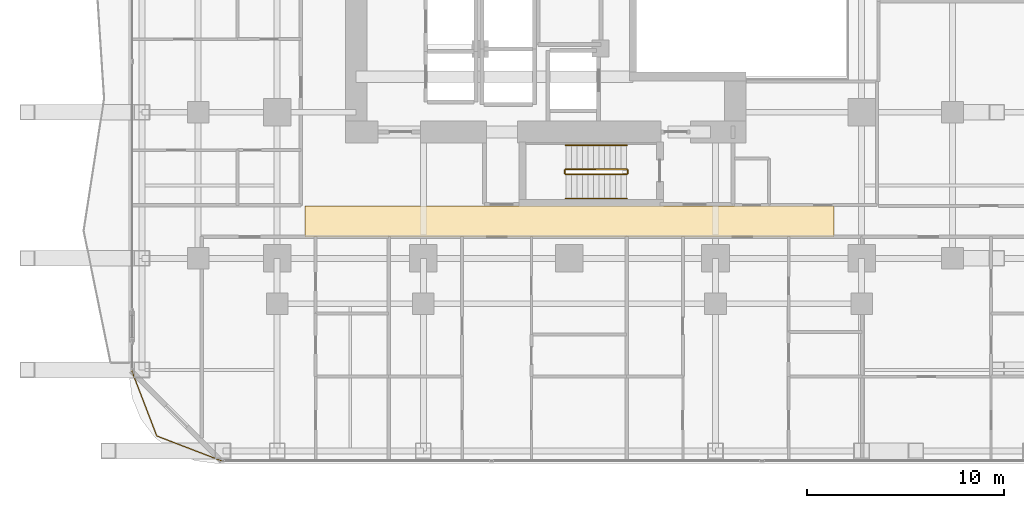
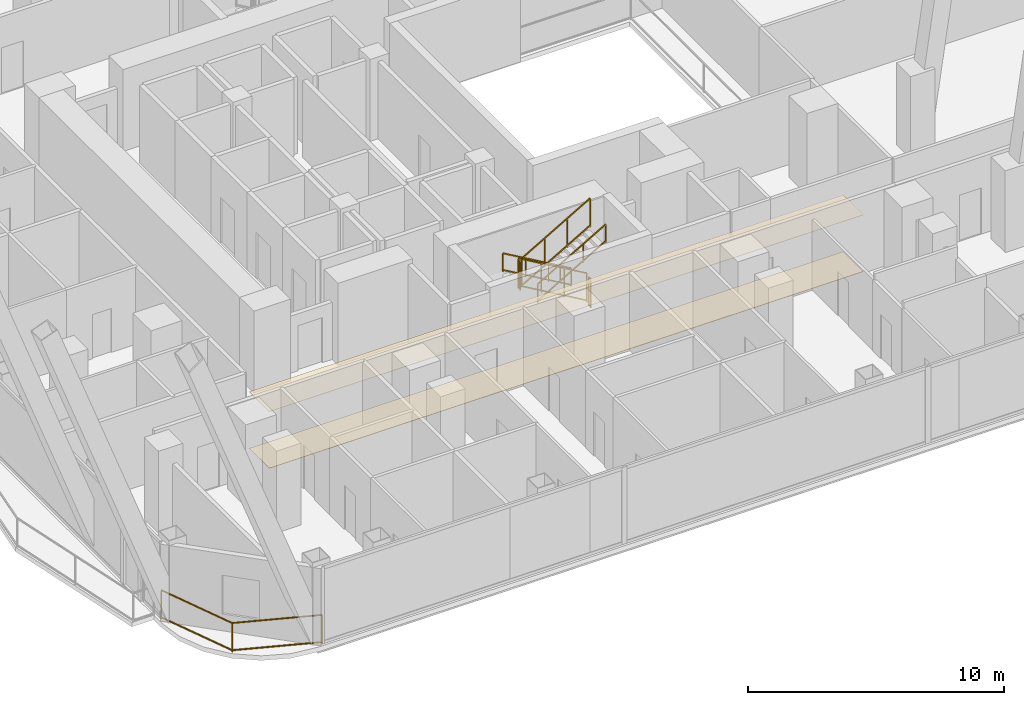
# One storey, part 31 of 33: 7 railings, 2 coverings.
"""IFC4 building model written with IfcOpenShell, lengths in metres."""

from ifc_helpers import new_model, si_unit, direction, frame, origin, origin_2d, place, context, subcontext, project, spatial, polyline, rectangle, outline, extrude, material, layer, layer_set, type_object, element, save


model = new_model("IFC4")

# Units and contexts
model_context = context("Model", 3, precision=1e-05, world=origin(), true_north=direction((0.0, 1.0)))
body_context = subcontext(model_context, "Body", "Model", "MODEL_VIEW")
ifc_project = project(units=[si_unit("LENGTHUNIT", "METRE"), si_unit("AREAUNIT", "SQUARE_METRE"), si_unit("VOLUMEUNIT", "CUBIC_METRE"), si_unit("PLANEANGLEUNIT", "RADIAN"), si_unit("MASSUNIT", "GRAM", prefix="KILO")], contexts=[model_context])

# Site, building, storey
site_placement = place(None, origin())
site = spatial("IfcSite", under=ifc_project, at=site_placement, CompositionType="ELEMENT")
building_placement = place(site_placement, origin())
building = spatial("IfcBuilding", under=site, at=building_placement, Name="Khorvyn Point Tower", CompositionType="ELEMENT")
storey_placement = place(building_placement, frame((0.0, 0.0, 38.39990234375)))
storey = spatial("IfcBuildingStorey", under=building, at=storey_placement, Name="L10", CompositionType="ELEMENT", Elevation=38.39990234375)

# Railing
ifc_material_1 = material(Name="Anodised aluminium 6063-T6 and laminated safety glass", Category="aluminium")
railing_type_1 = type_object("IfcRailingType", Name="Laminated Glass and Aluminium Balcony Guardrail 1400", PredefinedType="BALUSTRADE", material=ifc_material_1)
railing_1_placement = place(storey_placement, frame((-22.174072265625, -20.470703125, 0.0)))
element("IfcRailing", 1, at=railing_1_placement, inside=storey, type_object=railing_type_1, Name="L10 Rounded Corner Edge Guardrail SW", PredefinedType="BALUSTRADE", context=body_context, shape_type="SweptSolid", body=[
    extrude(rectangle(XDim=0.048095703125, YDim=0.048095703125, at=origin_2d()), frame((0.0, 0.0, 1.3759765625), z_axis=(0.358359142172, -0.933583807283, 0.0), x_axis=(0.933583807283, 0.358359142172, 0.0)), (0.0, 0.0, 1.0), 3.56298828125),
    extrude(rectangle(XDim=0.048095703125, YDim=0.048095703125, at=origin_2d()), frame((0.0, 0.0, 0.080078125), z_axis=(0.358359142172, -0.933583807283, 0.0), x_axis=(0.933583807283, 0.358359142172, 0.0)), (0.0, 0.0, 1.0), 3.56298828125),
    extrude(rectangle(XDim=0.048095703125, YDim=0.048095703125, at=origin_2d()), frame((1.27685546875, -3.326416015625, 1.3759765625), z_axis=(0.933583807283, -0.358359142172, 0.0), x_axis=(0.358359142172, 0.933583807283, 0.0)), (0.0, 0.0, 1.0), 3.56298828125),
    extrude(rectangle(XDim=0.048095703125, YDim=0.048095703125, at=origin_2d()), frame((1.27685546875, -3.326416015625, 0.080078125), z_axis=(0.933583807283, -0.358359142172, 0.0), x_axis=(0.358359142172, 0.933583807283, 0.0)), (0.0, 0.0, 1.0), 3.56298828125),
    extrude(rectangle(XDim=0.0419921875, YDim=0.0419921875, at=origin_2d()), origin(), (0.0, 0.0, 1.0), 1.351806640625),
    extrude(rectangle(XDim=0.0419921875, YDim=0.0419921875, at=origin_2d()), frame((1.27685546875, -3.326416015625, 0.0)), (0.0, 0.0, 1.0), 1.351806640625),
    extrude(rectangle(XDim=0.0419921875, YDim=0.0419921875, at=origin_2d()), frame((4.603271484375, -4.603271484375, 0.0)), (0.0, 0.0, 1.0), 1.351806640625),
])

# Coverings
ifc_material_2 = material(Name="Mineral-fibre acoustic ceiling board", Category="gypsum")
ifc_layer_1 = layer(ifc_material_2, 0.02001953125)
ifc_layer_set_1 = layer_set([ifc_layer_1], Name="Perforated Mineral-Fibre Acoustic Suspended Ceiling 20")
covering_type_1 = type_object("IfcCoveringType", Name="Perforated Mineral-Fibre Acoustic Suspended Ceiling 20", PredefinedType="CEILING", material=ifc_layer_set_1)
covering_1_placement = place(storey_placement, frame((0.0, 0.0, 2.7001953125)))
element("IfcCovering", 2, at=covering_1_placement, inside=storey, type_object=covering_type_1, Name="L10 South Corridor Acoustic Ceiling", PredefinedType="CEILING", context=body_context, shape_type="SweptSolid", body=[
    extrude(outline(polyline([(-13.39990234375, -13.7099609375), (13.39990234375, -13.7099609375), (13.39990234375, -12.139892578125), (-13.39990234375, -12.139892578125), (-13.39990234375, -13.7099609375)])), origin(), (0.0, 0.0, 1.0), 0.02001953125),
])
ifc_material_3 = material(Name="Vitrified porcelain terrazzo tile", Category="ceramic")
ifc_layer_2 = layer(ifc_material_3, 0.01806640625)
ifc_layer_set_2 = layer_set([ifc_layer_2], Name="Porcelain Terrazzo Corridor Floor Finish Tile 18")
covering_type_2 = type_object("IfcCoveringType", Name="Porcelain Terrazzo Corridor Floor Finish Tile 18", PredefinedType="FLOORING", material=ifc_layer_set_2)
covering_2_placement = place(storey_placement, origin())
element("IfcCovering", 3, at=covering_2_placement, inside=storey, type_object=covering_type_2, Name="L10 South Corridor Terrazzo Flooring", PredefinedType="FLOORING", context=body_context, shape_type="SweptSolid", body=[
    extrude(outline(polyline([(-13.39990234375, -13.7099609375), (13.39990234375, -13.7099609375), (13.39990234375, -12.139892578125), (-13.39990234375, -12.139892578125), (-13.39990234375, -13.7099609375)])), origin(), (0.0, 0.0, 1.0), 0.01806640625),
])

# Railings
ifc_material_4 = material(Name="Stainless steel 1.4301", Category="steel")
railing_type_2 = type_object("IfcRailingType", Name="Stainless Steel 304 Stair Pitch Handrail 900", PredefinedType="HANDRAIL", material=ifc_material_4)
railing_2_placement = place(storey_placement, frame((2.89990234375, -9.070068359375, 0.16259765625)))
element("IfcRailing", 4, at=railing_2_placement, inside=storey, type_object=railing_type_2, Name="L10 ST-01 stair handrail 1", PredefinedType="HANDRAIL", context=body_context, shape_type="SweptSolid", body=[
    extrude(rectangle(XDim=0.048095703125, YDim=0.048095703125, at=origin_2d()), frame((0.0, 0.0, 0.8759765625), z_axis=(-0.864873446163, 0.0, 0.501989962173), x_axis=(0.0, -1.0, 0.0)), (0.0, 0.0, 1.0), 3.56103515625),
    extrude(rectangle(XDim=0.048095703125, YDim=0.048095703125, at=origin_2d()), frame((0.0, 0.0, 0.080078125), z_axis=(-0.864873446163, 0.0, 0.501989962173), x_axis=(0.0, -1.0, 0.0)), (0.0, 0.0, 1.0), 3.56103515625),
    extrude(rectangle(XDim=0.0419921875, YDim=0.0419921875, at=origin_2d()), origin(), (0.0, 0.0, 1.0), 0.851806640625),
    extrude(rectangle(XDim=0.0419921875, YDim=0.0419921875, at=origin_2d()), frame((-1.026611328125, 0.0, 0.595947265625)), (0.0, 0.0, 1.0), 0.851806640625),
    extrude(rectangle(XDim=0.0419921875, YDim=0.0419921875, at=origin_2d()), frame((-2.05322265625, 0.0, 1.191650390625)), (0.0, 0.0, 1.0), 0.851806640625),
    extrude(rectangle(XDim=0.0419921875, YDim=0.0419921875, at=origin_2d()), frame((-3.079833984375, 0.0, 1.78759765625)), (0.0, 0.0, 1.0), 0.851806640625),
])
railing_3_placement = place(storey_placement, frame((-0.179931640625, -11.77001953125, 2.112548828125)))
element("IfcRailing", 5, at=railing_3_placement, inside=storey, type_object=railing_type_2, Name="L10 ST-01 stair handrail 2", PredefinedType="HANDRAIL", context=body_context, shape_type="SweptSolid", body=[
    extrude(rectangle(XDim=0.048095703125, YDim=0.048095703125, at=origin_2d()), frame((0.0, 0.0, 0.8759765625), z_axis=(0.864873446163, 0.0, 0.501989962173), x_axis=(0.0, 1.0, 0.0)), (0.0, 0.0, 1.0), 3.56103515625),
    extrude(rectangle(XDim=0.048095703125, YDim=0.048095703125, at=origin_2d()), frame((0.0, 0.0, 0.080078125), z_axis=(0.864873446163, 0.0, 0.501989962173), x_axis=(0.0, 1.0, 0.0)), (0.0, 0.0, 1.0), 3.56103515625),
    extrude(rectangle(XDim=0.0419921875, YDim=0.0419921875, at=origin_2d()), origin(), (0.0, 0.0, 1.0), 0.851806640625),
    extrude(rectangle(XDim=0.0419921875, YDim=0.0419921875, at=origin_2d()), frame((1.026611328125, 0.0, 0.595947265625)), (0.0, 0.0, 1.0), 0.851806640625),
    extrude(rectangle(XDim=0.0419921875, YDim=0.0419921875, at=origin_2d()), frame((2.05322265625, 0.0, 1.191650390625)), (0.0, 0.0, 1.0), 0.851806640625),
    extrude(rectangle(XDim=0.0419921875, YDim=0.0419921875, at=origin_2d()), frame((3.079833984375, 0.0, 1.78759765625)), (0.0, 0.0, 1.0), 0.851806640625),
])
railing_type_3 = type_object("IfcRailingType", Name="Stainless Steel 304 Stair Well Guardrail 1400", PredefinedType="GUARDRAIL", material=ifc_material_4)
railing_4_placement = place(storey_placement, frame((2.89990234375, -10.2900390625, 0.16259765625)))
element("IfcRailing", 6, at=railing_4_placement, inside=storey, type_object=railing_type_3, Name="L10 ST-01 stair guard 1", PredefinedType="GUARDRAIL", context=body_context, shape_type="SweptSolid", body=[
    extrude(rectangle(XDim=0.048095703125, YDim=0.048095703125, at=origin_2d()), frame((0.0, 0.0, 1.3759765625), z_axis=(-0.864873446163, 0.0, 0.501989962173), x_axis=(0.0, -1.0, 0.0)), (0.0, 0.0, 1.0), 3.56103515625),
    extrude(rectangle(XDim=0.048095703125, YDim=0.048095703125, at=origin_2d()), frame((0.0, 0.0, 0.080078125), z_axis=(-0.864873446163, 0.0, 0.501989962173), x_axis=(0.0, -1.0, 0.0)), (0.0, 0.0, 1.0), 3.56103515625),
    extrude(rectangle(XDim=0.0419921875, YDim=0.0419921875, at=origin_2d()), origin(), (0.0, 0.0, 1.0), 1.351806640625),
    extrude(rectangle(XDim=0.0419921875, YDim=0.0419921875, at=origin_2d()), frame((-1.026611328125, 0.0, 0.595947265625)), (0.0, 0.0, 1.0), 1.351806640625),
    extrude(rectangle(XDim=0.0419921875, YDim=0.0419921875, at=origin_2d()), frame((-2.05322265625, 0.0, 1.191650390625)), (0.0, 0.0, 1.0), 1.351806640625),
    extrude(rectangle(XDim=0.0419921875, YDim=0.0419921875, at=origin_2d()), frame((-3.079833984375, 0.0, 1.78759765625)), (0.0, 0.0, 1.0), 1.351806640625),
])
railing_5_placement = place(storey_placement, frame((-0.22998046875, -10.340087890625, 1.9501953125)))
element("IfcRailing", 7, at=railing_5_placement, inside=storey, type_object=railing_type_3, Name="L10 ST-01 stair guard 2", PredefinedType="GUARDRAIL", context=body_context, shape_type="SweptSolid", body=[
    extrude(rectangle(XDim=0.048095703125, YDim=0.048095703125, at=origin_2d()), frame((0.0, 0.0, 1.3759765625), z_axis=(0.0, -1.0, 0.0), x_axis=(1.0, 0.0, 0.0)), (0.0, 0.0, 1.0), 0.159912109375),
    extrude(rectangle(XDim=0.048095703125, YDim=0.048095703125, at=origin_2d()), frame((0.0, 0.0, 0.080078125), z_axis=(0.0, -1.0, 0.0), x_axis=(1.0, 0.0, 0.0)), (0.0, 0.0, 1.0), 0.159912109375),
    extrude(rectangle(XDim=0.0419921875, YDim=0.0419921875, at=origin_2d()), origin(), (0.0, 0.0, 1.0), 1.351806640625),
    extrude(rectangle(XDim=0.0419921875, YDim=0.0419921875, at=origin_2d()), frame((0.0, -0.159912109375, 0.0)), (0.0, 0.0, 1.0), 1.351806640625),
])
railing_6_placement = place(storey_placement, frame((-0.179931640625, -10.550048828125, 2.112548828125)))
element("IfcRailing", 8, at=railing_6_placement, inside=storey, type_object=railing_type_3, Name="L10 ST-01 stair guard 3", PredefinedType="GUARDRAIL", context=body_context, shape_type="SweptSolid", body=[
    extrude(rectangle(XDim=0.048095703125, YDim=0.048095703125, at=origin_2d()), frame((0.0, 0.0, 1.3759765625), z_axis=(0.864873446163, 0.0, 0.501989962173), x_axis=(0.0, 1.0, 0.0)), (0.0, 0.0, 1.0), 3.56103515625),
    extrude(rectangle(XDim=0.048095703125, YDim=0.048095703125, at=origin_2d()), frame((0.0, 0.0, 0.080078125), z_axis=(0.864873446163, 0.0, 0.501989962173), x_axis=(0.0, 1.0, 0.0)), (0.0, 0.0, 1.0), 3.56103515625),
    extrude(rectangle(XDim=0.0419921875, YDim=0.0419921875, at=origin_2d()), origin(), (0.0, 0.0, 1.0), 1.351806640625),
    extrude(rectangle(XDim=0.0419921875, YDim=0.0419921875, at=origin_2d()), frame((1.026611328125, 0.0, 0.595947265625)), (0.0, 0.0, 1.0), 1.351806640625),
    extrude(rectangle(XDim=0.0419921875, YDim=0.0419921875, at=origin_2d()), frame((2.05322265625, 0.0, 1.191650390625)), (0.0, 0.0, 1.0), 1.351806640625),
    extrude(rectangle(XDim=0.0419921875, YDim=0.0419921875, at=origin_2d()), frame((3.079833984375, 0.0, 1.78759765625)), (0.0, 0.0, 1.0), 1.351806640625),
])
railing_7_placement = place(storey_placement, frame((2.949951171875, -10.340087890625, 0.0)))
element("IfcRailing", 9, at=railing_7_placement, inside=storey, type_object=railing_type_3, Name="L10 ST-01 stair guard 4", PredefinedType="GUARDRAIL", context=body_context, shape_type="SweptSolid", body=[
    extrude(rectangle(XDim=0.048095703125, YDim=0.048095703125, at=origin_2d()), frame((0.0, 0.0, 1.3759765625), z_axis=(0.0, -1.0, 0.0), x_axis=(1.0, 0.0, 0.0)), (0.0, 0.0, 1.0), 0.159912109375),
    extrude(rectangle(XDim=0.048095703125, YDim=0.048095703125, at=origin_2d()), frame((0.0, 0.0, 0.080078125), z_axis=(0.0, -1.0, 0.0), x_axis=(1.0, 0.0, 0.0)), (0.0, 0.0, 1.0), 0.159912109375),
    extrude(rectangle(XDim=0.0419921875, YDim=0.0419921875, at=origin_2d()), origin(), (0.0, 0.0, 1.0), 1.351806640625),
    extrude(rectangle(XDim=0.0419921875, YDim=0.0419921875, at=origin_2d()), frame((0.0, -0.159912109375, 0.0)), (0.0, 0.0, 1.0), 1.351806640625),
])

save(model, "model.ifc")
